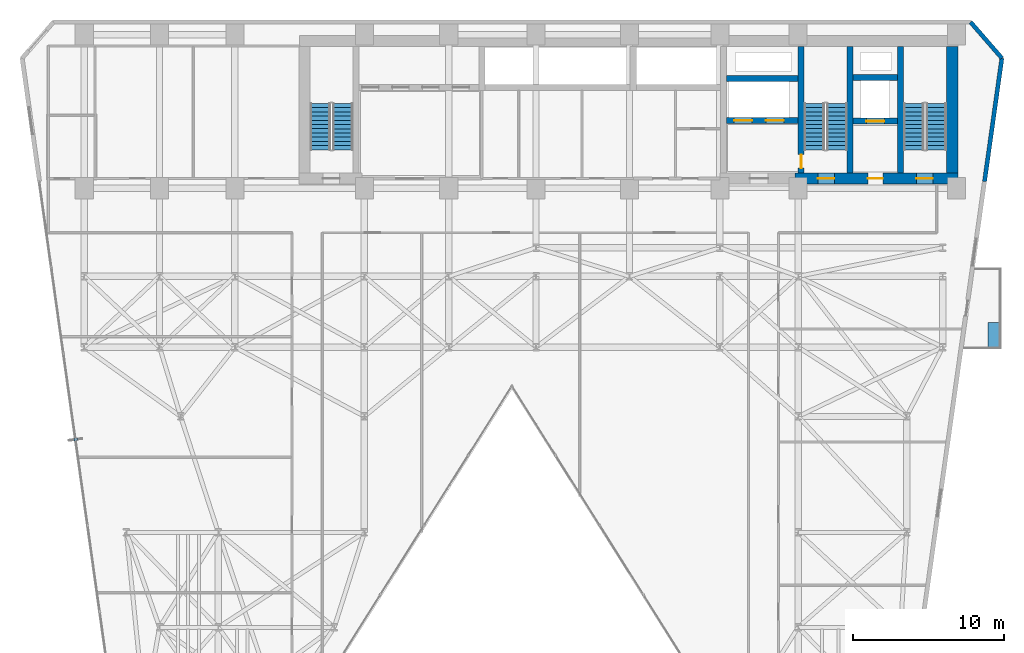
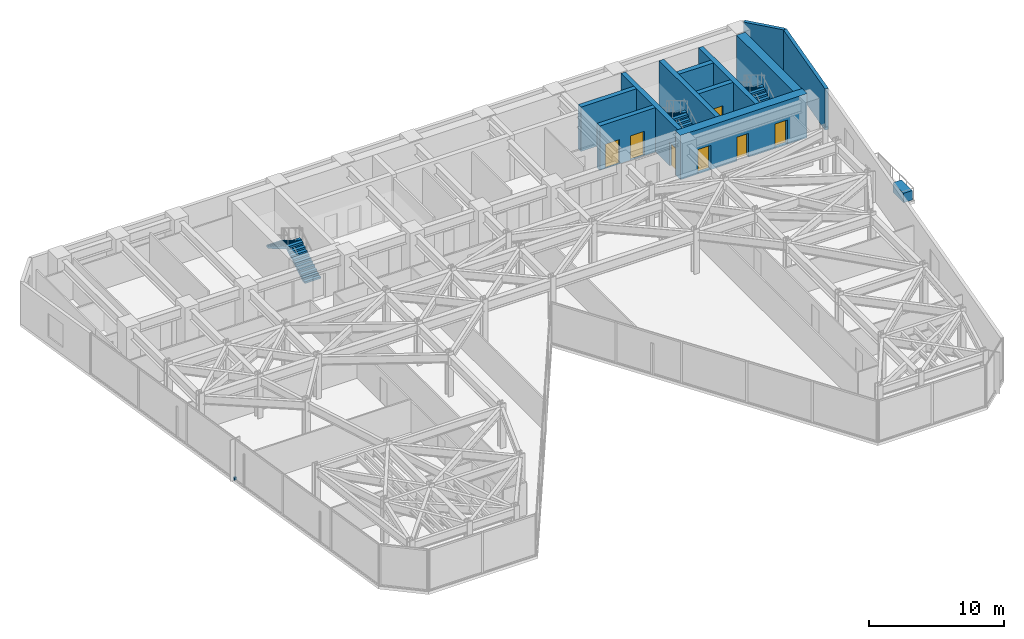
# One storey, part 21 of 25: 11 walls, 7 doors, 6 stair flights, 2 discrete accessories, 7 openings, 3 elements without a shape of their own.
"""IFC4 building model written with IfcOpenShell, lengths in metres."""

from ifc_helpers import new_model, si_unit, direction, frame, frame_2d, origin, origin_2d, place, context, subcontext, project, spatial, polyline, rectangle, outline, extrude, material, layer, layer_set, type_object, element, fill, aggregate, save


model = new_model("IFC4")

# Units and contexts
model_context = context("Model", 3, precision=1e-05, world=origin(), true_north=direction((0.0, 1.0)))
body_context = subcontext(model_context, "Body", "Model", "MODEL_VIEW")
ifc_project = project(units=[si_unit("LENGTHUNIT", "METRE"), si_unit("AREAUNIT", "SQUARE_METRE"), si_unit("VOLUMEUNIT", "CUBIC_METRE"), si_unit("PLANEANGLEUNIT", "RADIAN"), si_unit("MASSUNIT", "GRAM", prefix="KILO")], contexts=[model_context])

# Site, building, storey
site_placement = place(None, origin())
site = spatial("IfcSite", under=ifc_project, at=site_placement, CompositionType="ELEMENT")
building_placement = place(site_placement, origin())
building = spatial("IfcBuilding", under=site, at=building_placement, Name="Kravanh Interchange Tower", CompositionType="ELEMENT")
storey_placement = place(building_placement, frame((0.0, 0.0, 81.5)))
storey = spatial("IfcBuildingStorey", under=building, at=storey_placement, Name="L19", CompositionType="ELEMENT", Elevation=81.5)

# Walls
ifc_material_1 = material(Name="Concrete C80/95", Category="concrete")
ifc_layer_1 = layer(ifc_material_1, 0.39990234375)
ifc_layer_set_1 = layer_set([ifc_layer_1], Name="Core Shear Wall Concrete C80/95 400mm")
wall_type_1 = type_object("IfcWallType", Name="Core Shear Wall Concrete C80/95 400mm", PredefinedType="SHEAR", material=ifc_layer_set_1)
for number, where, z_axis, x_axis, name in (
    (1, (62.800048828125, 38.375, 0.0), (0.0, 0.0, 1.0), (0.0, 1.0, 0.0), "L19 Stair ST1 West Shear Wall"),
    (2, (59.449951171875, 38.375, 0.0), (0.0, 0.0, 1.0), (0.0, 1.0, 0.0), "L19 Stair ST2 East Shear Wall"),
):
    element("IfcWall", number, at=place(storey_placement, frame(where, z_axis=z_axis, x_axis=x_axis)), inside=storey, type_object=wall_type_1, Name=name, PredefinedType="SHEAR", context=body_context, shape_type="SweptSolid", body=[
        extrude(rectangle(XDim=8.375, YDim=0.39990234375, at=frame_2d((4.1875, 0.0))), origin(), (0.0, 0.0, 1.0), 4.0),
    ])

# Wall, opening, door
wall_1_placement = place(storey_placement, frame((56.199951171875, 38.375, 0.0), z_axis=(0.0, 0.0, 1.0), x_axis=(0.0, 1.0, 0.0)))
wall_1 = element("IfcWall", 3, at=wall_1_placement, inside=storey, type_object=wall_type_1, Name="L19 Stair ST2 West Shear Wall", PredefinedType="SHEAR", context=body_context, shape_type="SweptSolid", body=[
    extrude(rectangle(XDim=8.375, YDim=0.39990234375, at=frame_2d((4.1875, 0.0))), origin(), (0.0, 0.0, 1.0), 4.0),
])
opening_1_placement = place(wall_1_placement, frame((0.304931640625, 0.0, 0.0)))
opening_1 = element("IfcOpeningElement", 4, at=opening_1_placement, cuts=wall_1, Name="Opening D-STAIR-90", PredefinedType="OPENING", context=body_context, shape_type="SweptSolid", body=[
    extrude(rectangle(XDim=0.89990234375, YDim=2.14990234375, at=frame_2d((0.449951171875, 1.074951171875))), frame((0.0, 0.2099609375, 0.0), z_axis=(0.0, -1.0, 0.0), x_axis=(1.0, 0.0, 0.0)), (0.0, 0.0, 1.0), 0.419921875),
])
ifc_material_2 = material(Name="Structural Steel S355", Category="steel")
door_type_1 = type_object("IfcDoorType", Name="Fire-Rated Stair Lobby Door 900x2150", OperationType="NOTDEFINED", PredefinedType="DOOR", material=ifc_material_2)
door_1_placement = place(opening_1_placement, origin())
door_1 = element("IfcDoor", 5, at=door_1_placement, inside=storey, type_object=door_type_1, Name="L19 Firefighting Lobby to Stair ST2 Door", OperationType="SINGLE_SWING_LEFT", OverallHeight=2.14990234375, OverallWidth=0.89990234375, PredefinedType="DOOR", context=body_context, shape_type="SweptSolid", body=[
    extrude(rectangle(XDim=0.89990234375, YDim=2.14990234375, at=frame_2d((0.449951171875, 1.074951171875))), frame((0.0, 0.02490234375, 0.0), z_axis=(0.0, -1.0, 0.0), x_axis=(1.0, 0.0, 0.0)), (0.0, 0.0, 1.0), 0.050048828125),
])
fill(opening_1, door_1)

wall_2_placement = place(storey_placement, frame((59.64990234375, 41.800048828125, 0.0), z_axis=(0.0, 0.0, 1.0), x_axis=(1.0, 0.0, 0.0)))
wall_2 = element("IfcWall", 6, at=wall_2_placement, inside=storey, type_object=wall_type_1, Name="L19 Service Lift Shaft South Wall", PredefinedType="SHEAR", context=body_context, shape_type="SweptSolid", body=[
    extrude(rectangle(XDim=2.9501953125, YDim=0.39990234375, at=frame_2d((1.47509765625, 0.0))), origin(), (0.0, 0.0, 1.0), 4.0),
])
opening_2_placement = place(wall_2_placement, frame((0.8701171875, 0.0, 0.0)))
opening_2 = element("IfcOpeningElement", 7, at=opening_2_placement, cuts=wall_2, Name="Opening LD02", PredefinedType="OPENING", context=body_context, shape_type="SweptSolid", body=[
    extrude(rectangle(XDim=1.199951171875, YDim=2.199951171875, at=frame_2d((0.60009765625, 1.10009765625))), frame((0.0, 0.2099609375, 0.0), z_axis=(0.0, -1.0, 0.0), x_axis=(1.0, 0.0, 0.0)), (0.0, 0.0, 1.0), 0.419921875),
])
ifc_material_3 = material(Name="Stainless Steel 316", Category="steel")
door_type_2 = type_object("IfcDoorType", Name="Fire and Service Lift Sliding Landing Door 1200x2200", OperationType="DOUBLE_DOOR_SLIDING", PredefinedType="DOOR", material=ifc_material_3)
door_2_placement = place(opening_2_placement, origin())
door_2 = element("IfcDoor", 8, at=door_2_placement, inside=storey, type_object=door_type_2, Name="L19 Lift LS-01 Landing Door", OperationType="DOUBLE_DOOR_SLIDING", OverallHeight=2.199951171875, OverallWidth=1.199951171875, PredefinedType="DOOR", context=body_context, shape_type="SweptSolid", body=[
    extrude(rectangle(XDim=1.199951171875, YDim=2.199951171875, at=frame_2d((0.60009765625, 1.10009765625))), frame((0.0, 0.02490234375, 0.0), z_axis=(0.0, -1.0, 0.0), x_axis=(1.0, 0.0, 0.0)), (0.0, 0.0, 1.0), 0.050048828125),
])
fill(opening_2, door_2)

# Wall
wall_3_placement = place(storey_placement, frame((59.64990234375, 44.699951171875, 0.0), z_axis=(0.0, 0.0, 1.0), x_axis=(1.0, 0.0, 0.0)))
element("IfcWall", 9, at=wall_3_placement, inside=storey, type_object=wall_type_1, Name="L19 Service Lift Shaft North Wall", PredefinedType="SHEAR", context=body_context, shape_type="SweptSolid", body=[
    extrude(rectangle(XDim=2.9501953125, YDim=0.39990234375, at=frame_2d((1.47509765625, 0.0))), origin(), (0.0, 0.0, 1.0), 4.0),
])

# Wall, openings, doors
wall_4_placement = place(storey_placement, frame((51.25, 41.85009765625, 0.0), z_axis=(0.0, 0.0, 1.0), x_axis=(1.0, 0.0, 0.0)))
wall_4 = element("IfcWall", 10, at=wall_4_placement, inside=storey, type_object=wall_type_1, Name="L19 Fire Lift Shaft South Wall", PredefinedType="SHEAR", context=body_context, shape_type="SweptSolid", body=[
    extrude(rectangle(XDim=4.75, YDim=0.39990234375, at=frame_2d((2.375, 0.0))), origin(), (0.0, 0.0, 1.0), 4.0),
])
opening_3_placement = place(wall_4_placement, frame((0.5, 0.0, 0.0)))
opening_3 = element("IfcOpeningElement", 11, at=opening_3_placement, cuts=wall_4, Name="Opening LD02", PredefinedType="OPENING", context=body_context, shape_type="SweptSolid", body=[
    extrude(rectangle(XDim=1.199951171875, YDim=2.199951171875, at=frame_2d((0.60009765625, 1.10009765625))), frame((0.0, 0.2099609375, 0.0), z_axis=(0.0, -1.0, 0.0), x_axis=(1.0, 0.0, 0.0)), (0.0, 0.0, 1.0), 0.419921875),
])
opening_4_placement = place(wall_4_placement, frame((2.60009765625, 0.0, 0.0)))
opening_4 = element("IfcOpeningElement", 12, at=opening_4_placement, cuts=wall_4, Name="Opening LD02", PredefinedType="OPENING", context=body_context, shape_type="SweptSolid", body=[
    extrude(rectangle(XDim=1.199951171875, YDim=2.199951171875, at=frame_2d((0.60009765625, 1.10009765625))), frame((0.0, 0.2099609375, 0.0), z_axis=(0.0, -1.0, 0.0), x_axis=(1.0, 0.0, 0.0)), (0.0, 0.0, 1.0), 0.419921875),
])
door_3_placement = place(opening_3_placement, origin())
door_3 = element("IfcDoor", 13, at=door_3_placement, inside=storey, type_object=door_type_2, Name="L19 Lift FSAE-01 Landing Door", OperationType="DOUBLE_DOOR_SLIDING", OverallHeight=2.199951171875, OverallWidth=1.199951171875, PredefinedType="DOOR", context=body_context, shape_type="SweptSolid", body=[
    extrude(rectangle(XDim=1.199951171875, YDim=2.199951171875, at=frame_2d((0.60009765625, 1.10009765625))), frame((0.0, 0.02490234375, 0.0), z_axis=(0.0, -1.0, 0.0), x_axis=(1.0, 0.0, 0.0)), (0.0, 0.0, 1.0), 0.050048828125),
])
fill(opening_3, door_3)
door_4_placement = place(opening_4_placement, origin())
door_4 = element("IfcDoor", 14, at=door_4_placement, inside=storey, type_object=door_type_2, Name="L19 Lift FSAE-02 Landing Door", OperationType="DOUBLE_DOOR_SLIDING", OverallHeight=2.199951171875, OverallWidth=1.199951171875, PredefinedType="DOOR", context=body_context, shape_type="SweptSolid", body=[
    extrude(rectangle(XDim=1.199951171875, YDim=2.199951171875, at=frame_2d((0.60009765625, 1.10009765625))), frame((0.0, 0.02490234375, 0.0), z_axis=(0.0, -1.0, 0.0), x_axis=(1.0, 0.0, 0.0)), (0.0, 0.0, 1.0), 0.050048828125),
])
fill(opening_4, door_4)

# Wall
wall_5_placement = place(storey_placement, frame((51.25, 44.64990234375, 0.0), z_axis=(0.0, 0.0, 1.0), x_axis=(1.0, 0.0, 0.0)))
element("IfcWall", 15, at=wall_5_placement, inside=storey, type_object=wall_type_1, Name="L19 Fire Lift Shaft North Wall", PredefinedType="SHEAR", context=body_context, shape_type="SweptSolid", body=[
    extrude(rectangle(XDim=4.75, YDim=0.39990234375, at=frame_2d((2.375, 0.0))), origin(), (0.0, 0.0, 1.0), 4.0),
])

# Wall, openings, doors
ifc_material_4 = material(Name="Concrete C80/95", Category="concrete")
ifc_layer_2 = layer(ifc_material_4, 0.75)
ifc_layer_set_2 = layer_set([ifc_layer_2], Name="Core Shear Wall Concrete C80/95 750mm")
wall_type_2 = type_object("IfcWallType", Name="Core Shear Wall Concrete C80/95 750mm", PredefinedType="SHEAR", material=ifc_layer_set_2)
wall_6_placement = place(storey_placement, frame((55.800048828125, 38.0, 0.0), z_axis=(0.0, 0.0, 1.0), x_axis=(1.0, 0.0, 0.0)))
wall_6 = element("IfcWall", 16, at=wall_6_placement, inside=storey, type_object=wall_type_2, Name="L19 East Core South Shear Wall", PredefinedType="SHEAR", context=body_context, shape_type="SweptSolid", body=[
    extrude(rectangle(XDim=10.800048828125, YDim=0.75, at=frame_2d((5.39990234375, 0.0))), origin(), (0.0, 0.0, 1.0), 4.0),
])
opening_5_placement = place(wall_6_placement, frame((1.5, 0.0, 0.0)))
opening_5 = element("IfcOpeningElement", 17, at=opening_5_placement, cuts=wall_6, Name="Opening D-STAIR-110", PredefinedType="OPENING", context=body_context, shape_type="SweptSolid", body=[
    extrude(rectangle(XDim=1.10009765625, YDim=2.199951171875, at=frame_2d((0.550048828125, 1.10009765625))), frame((0.0, 0.385009765625, 0.0), z_axis=(0.0, -1.0, 0.0), x_axis=(1.0, 0.0, 0.0)), (0.0, 0.0, 1.0), 0.77001953125),
])
opening_6_placement = place(wall_6_placement, frame((4.820068359375, 0.0, 0.0)))
opening_6 = element("IfcOpeningElement", 18, at=opening_6_placement, cuts=wall_6, Name="Opening D-HOTEL-100", PredefinedType="OPENING", context=body_context, shape_type="SweptSolid", body=[
    extrude(rectangle(XDim=1.0, YDim=2.14990234375, at=frame_2d((0.5, 1.074951171875))), frame((0.0, 0.385009765625, 0.0), z_axis=(0.0, -1.0, 0.0), x_axis=(1.0, 0.0, 0.0)), (0.0, 0.0, 1.0), 0.77001953125),
])
opening_7_placement = place(wall_6_placement, frame((8.050048828125, 0.0, 0.0)))
opening_7 = element("IfcOpeningElement", 19, at=opening_7_placement, cuts=wall_6, Name="Opening D-STAIR-110", PredefinedType="OPENING", context=body_context, shape_type="SweptSolid", body=[
    extrude(rectangle(XDim=1.10009765625, YDim=2.199951171875, at=frame_2d((0.550048828125, 1.10009765625))), frame((0.0, 0.385009765625, 0.0), z_axis=(0.0, -1.0, 0.0), x_axis=(1.0, 0.0, 0.0)), (0.0, 0.0, 1.0), 0.77001953125),
])
ifc_material_5 = material(Name="Structural Steel S355", Category="steel")
door_type_3 = type_object("IfcDoorType", Name="Fire-Rated Exit Stair Door 1100x2200", OperationType="NOTDEFINED", PredefinedType="DOOR", material=ifc_material_5)
door_5_placement = place(opening_5_placement, origin())
door_5 = element("IfcDoor", 20, at=door_5_placement, inside=storey, type_object=door_type_3, Name="L19 Exit Stair ST2 Door", OperationType="SINGLE_SWING_RIGHT", OverallHeight=2.199951171875, OverallWidth=1.10009765625, PredefinedType="DOOR", context=body_context, shape_type="SweptSolid", body=[
    extrude(rectangle(XDim=1.10009765625, YDim=2.199951171875, at=frame_2d((0.550048828125, 1.10009765625))), frame((0.0, 0.02490234375, 0.0), z_axis=(0.0, -1.0, 0.0), x_axis=(1.0, 0.0, 0.0)), (0.0, 0.0, 1.0), 0.050048828125),
])
fill(opening_5, door_5)
door_6_placement = place(opening_7_placement, origin())
door_6 = element("IfcDoor", 21, at=door_6_placement, inside=storey, type_object=door_type_3, Name="L19 Exit Stair ST1 Door", OperationType="SINGLE_SWING_RIGHT", OverallHeight=2.199951171875, OverallWidth=1.10009765625, PredefinedType="DOOR", context=body_context, shape_type="SweptSolid", body=[
    extrude(rectangle(XDim=1.10009765625, YDim=2.199951171875, at=frame_2d((0.550048828125, 1.10009765625))), frame((0.0, 0.02490234375, 0.0), z_axis=(0.0, -1.0, 0.0), x_axis=(1.0, 0.0, 0.0)), (0.0, 0.0, 1.0), 0.050048828125),
])
fill(opening_7, door_6)
ifc_material_6 = material(Name="Fire-Rated Solid Timber Leaf", Category="wood")
door_type_4 = type_object("IfcDoorType", Name="Fire-Rated Suite Entrance Door 1000x2150", OperationType="NOTDEFINED", PredefinedType="DOOR", material=ifc_material_6)
door_7_placement = place(opening_6_placement, origin())
door_7 = element("IfcDoor", 22, at=door_7_placement, inside=storey, type_object=door_type_4, Name="L19 Service Lift Lobby Door", OperationType="SINGLE_SWING_RIGHT", OverallHeight=2.14990234375, OverallWidth=1.0, PredefinedType="DOOR", context=body_context, shape_type="SweptSolid", body=[
    extrude(rectangle(XDim=1.0, YDim=2.14990234375, at=frame_2d((0.5, 1.074951171875))), frame((0.0, 0.02490234375, 0.0), z_axis=(0.0, -1.0, 0.0), x_axis=(1.0, 0.0, 0.0)), (0.0, 0.0, 1.0), 0.050048828125),
])
fill(opening_6, door_7)

# Walls
wall_7_placement = place(storey_placement, frame((66.22509765625, 38.375, 0.0), z_axis=(0.0, 0.0, 1.0), x_axis=(0.0, 1.0, 0.0)))
element("IfcWall", 23, at=wall_7_placement, inside=storey, type_object=wall_type_2, Name="L19 Stair ST1 East Shear Wall", PredefinedType="SHEAR", context=body_context, shape_type="SweptSolid", body=[
    extrude(rectangle(XDim=8.375, YDim=0.75, at=frame_2d((4.1875, 0.0))), origin(), (0.0, 0.0, 1.0), 4.0),
])
ifc_material_7 = material(Name="Insulated Precast Concrete C40/50 with Bronze Cladding", Category="concrete")
ifc_layer_3 = layer(ifc_material_7, 0.280029296875)
ifc_layer_set_3 = layer_set([ifc_layer_3], Name="Exterior Insulated Concrete C40/50 Bronze Spandrel Wall 280mm")
wall_type_3 = type_object("IfcWallType", Name="Exterior Insulated Concrete C40/50 Bronze Spandrel Wall 280mm", PredefinedType="STANDARD", material=ifc_layer_set_3)
wall_8_placement = place(storey_placement, frame((67.4453125, 48.3798828125, 0.0), z_axis=(0.0, 0.0, 1.0), x_axis=(0.656070053895, -0.754699996278, 0.0)))
element("IfcWall", 24, at=wall_8_placement, inside=storey, type_object=wall_type_3, Name="L19 Exterior Wall 4", PredefinedType="STANDARD", context=body_context, shape_type="SweptSolid", body=[
    extrude(rectangle(XDim=3.1708984375, YDim=0.280029296875, at=frame_2d((1.58544921875, 0.0))), origin(), (0.0, 0.0, 1.0), 3.719970703125),
])
wall_9_placement = place(storey_placement, frame((69.525634765625, 45.98681640625, 0.0), z_axis=(0.0, 0.0, 1.0), x_axis=(-0.139180172484, -0.990267074878, 0.0)))
element("IfcWall", 25, at=wall_9_placement, inside=storey, type_object=wall_type_3, Name="L19 Exterior Wall 5", PredefinedType="STANDARD", context=body_context, shape_type="SweptSolid", body=[
    extrude(rectangle(XDim=8.267333984375, YDim=0.280029296875, at=frame_2d((4.1337890625, 0.0))), origin(), (0.0, 0.0, 1.0), 3.719970703125),
])

# Stair, stair flights
ifc_material_8 = material(Name="Concrete C50/60", Category="concrete")
stair_type = type_object("IfcStairType", Name="Core Fire Exit Dogleg Stair Concrete C50/60", PredefinedType="HALF_TURN_STAIR", material=ifc_material_8)
stair_1_placement = place(storey_placement, origin())
stair_1 = element("IfcStair", 26, at=stair_1_placement, inside=storey, type_object=stair_type, Name="L19 Exit Stair ST1", PredefinedType="HALF_TURN_STAIR")
ifc_material_9 = material(Name="Precast Concrete C50/60", Category="concrete")
ifc_layer_4 = layer(ifc_material_9, 0.199951171875)
ifc_layer_set_4 = layer_set([ifc_layer_4], Name="Precast Concrete C50/60 Stair Flight 1350mm")
stair_flight_type = type_object("IfcStairFlightType", Name="Precast Concrete C50/60 Stair Flight 1350mm", PredefinedType="STRAIGHT", material=ifc_layer_set_4)
stair_flight_1_placement = place(storey_placement, frame((65.175048828125, 39.89990234375, 0.0), z_axis=(0.0, 0.0, 1.0), x_axis=(0.0, 1.0, 0.0)))
stair_flight_1 = element("IfcStairFlight", 27, at=stair_flight_1_placement, type_object=stair_flight_type, Name="ST1 flight 1", NumberOfRisers=12, NumberOfTreads=11, PredefinedType="STRAIGHT", RiserHeight=0.166666667, TreadLength=0.28, context=body_context, shape_type="SweptSolid", body=[
    extrude(outline(polyline([(0.0, 0.0), (0.0, 0.166748046875), (0.280029296875, 0.166748046875), (0.280029296875, 0.333251953125), (0.56005859375, 0.333251953125), (0.56005859375, 0.5), (0.840087890625, 0.5), (0.840087890625, 0.666748046875), (1.1201171875, 0.666748046875), (1.1201171875, 0.833251953125), (1.39990234375, 0.833251953125), (1.39990234375, 1.0), (1.679931640625, 1.0), (1.679931640625, 1.166748046875), (1.9599609375, 1.166748046875), (1.9599609375, 1.333251953125), (2.239990234375, 1.333251953125), (2.239990234375, 1.5), (2.52001953125, 1.5), (2.52001953125, 1.666748046875), (2.800048828125, 1.666748046875), (2.800048828125, 1.833251953125), (3.080078125, 1.833251953125), (3.080078125, 2.0), (3.080078125, 1.658935546875), (0.29296875, 0.0), (0.0, 0.0)])), frame((0.0, 0.675048828125, 0.0), z_axis=(0.0, -1.0, 0.0), x_axis=(1.0, 0.0, 0.0)), (0.0, 0.0, 1.0), 1.35009765625),
])
stair_flight_2_placement = place(storey_placement, frame((63.675048828125, 42.97998046875, 2.0), z_axis=(0.0, 0.0, 1.0), x_axis=(0.0, -1.0, 0.0)))
stair_flight_2 = element("IfcStairFlight", 28, at=stair_flight_2_placement, type_object=stair_flight_type, Name="ST1 flight 2", NumberOfRisers=12, NumberOfTreads=11, PredefinedType="STRAIGHT", RiserHeight=0.166666667, TreadLength=0.28, context=body_context, shape_type="SweptSolid", body=[
    extrude(outline(polyline([(0.0, 0.0), (0.0, 0.166748046875), (0.280029296875, 0.166748046875), (0.280029296875, 0.333251953125), (0.56005859375, 0.333251953125), (0.56005859375, 0.5), (0.840087890625, 0.5), (0.840087890625, 0.666748046875), (1.1201171875, 0.666748046875), (1.1201171875, 0.833251953125), (1.39990234375, 0.833251953125), (1.39990234375, 1.0), (1.679931640625, 1.0), (1.679931640625, 1.166748046875), (1.9599609375, 1.166748046875), (1.9599609375, 1.333251953125), (2.239990234375, 1.333251953125), (2.239990234375, 1.5), (2.52001953125, 1.5), (2.52001953125, 1.666748046875), (2.800048828125, 1.666748046875), (2.800048828125, 1.833251953125), (3.080078125, 1.833251953125), (3.080078125, 2.0), (3.080078125, 1.658935546875), (0.29296875, 0.0), (0.0, 0.0)])), frame((0.0, 0.675048828125, 0.0), z_axis=(0.0, -1.0, 0.0), x_axis=(1.0, 0.0, 0.0)), (0.0, 0.0, 1.0), 1.35009765625),
])
aggregate(stair_1, [stair_flight_1, stair_flight_2])

stair_2_placement = place(storey_placement, origin())
stair_2 = element("IfcStair", 29, at=stair_2_placement, inside=storey, type_object=stair_type, Name="L19 Exit Stair ST2", PredefinedType="HALF_TURN_STAIR")
stair_flight_3_placement = place(storey_placement, frame((58.574951171875, 39.89990234375, 0.0), z_axis=(0.0, 0.0, 1.0), x_axis=(0.0, 1.0, 0.0)))
stair_flight_3 = element("IfcStairFlight", 30, at=stair_flight_3_placement, type_object=stair_flight_type, Name="ST2 flight 1", NumberOfRisers=12, NumberOfTreads=11, PredefinedType="STRAIGHT", RiserHeight=0.166666667, TreadLength=0.28, context=body_context, shape_type="SweptSolid", body=[
    extrude(outline(polyline([(0.0, 0.0), (0.0, 0.166748046875), (0.280029296875, 0.166748046875), (0.280029296875, 0.333251953125), (0.56005859375, 0.333251953125), (0.56005859375, 0.5), (0.840087890625, 0.5), (0.840087890625, 0.666748046875), (1.1201171875, 0.666748046875), (1.1201171875, 0.833251953125), (1.39990234375, 0.833251953125), (1.39990234375, 1.0), (1.679931640625, 1.0), (1.679931640625, 1.166748046875), (1.9599609375, 1.166748046875), (1.9599609375, 1.333251953125), (2.239990234375, 1.333251953125), (2.239990234375, 1.5), (2.52001953125, 1.5), (2.52001953125, 1.666748046875), (2.800048828125, 1.666748046875), (2.800048828125, 1.833251953125), (3.080078125, 1.833251953125), (3.080078125, 2.0), (3.080078125, 1.658935546875), (0.29296875, 0.0), (0.0, 0.0)])), frame((0.0, 0.675048828125, 0.0), z_axis=(0.0, -1.0, 0.0), x_axis=(1.0, 0.0, 0.0)), (0.0, 0.0, 1.0), 1.35009765625),
])
stair_flight_4_placement = place(storey_placement, frame((57.074951171875, 42.97998046875, 2.0), z_axis=(0.0, 0.0, 1.0), x_axis=(0.0, -1.0, 0.0)))
stair_flight_4 = element("IfcStairFlight", 31, at=stair_flight_4_placement, type_object=stair_flight_type, Name="ST2 flight 2", NumberOfRisers=12, NumberOfTreads=11, PredefinedType="STRAIGHT", RiserHeight=0.166666667, TreadLength=0.28, context=body_context, shape_type="SweptSolid", body=[
    extrude(outline(polyline([(0.0, 0.0), (0.0, 0.166748046875), (0.280029296875, 0.166748046875), (0.280029296875, 0.333251953125), (0.56005859375, 0.333251953125), (0.56005859375, 0.5), (0.840087890625, 0.5), (0.840087890625, 0.666748046875), (1.1201171875, 0.666748046875), (1.1201171875, 0.833251953125), (1.39990234375, 0.833251953125), (1.39990234375, 1.0), (1.679931640625, 1.0), (1.679931640625, 1.166748046875), (1.9599609375, 1.166748046875), (1.9599609375, 1.333251953125), (2.239990234375, 1.333251953125), (2.239990234375, 1.5), (2.52001953125, 1.5), (2.52001953125, 1.666748046875), (2.800048828125, 1.666748046875), (2.800048828125, 1.833251953125), (3.080078125, 1.833251953125), (3.080078125, 2.0), (3.080078125, 1.658935546875), (0.29296875, 0.0), (0.0, 0.0)])), frame((0.0, 0.675048828125, 0.0), z_axis=(0.0, -1.0, 0.0), x_axis=(1.0, 0.0, 0.0)), (0.0, 0.0, 1.0), 1.35009765625),
])
aggregate(stair_2, [stair_flight_3, stair_flight_4])

stair_3_placement = place(storey_placement, origin())
stair_3 = element("IfcStair", 32, at=stair_3_placement, inside=storey, type_object=stair_type, Name="L19 Exit Stair ST3", PredefinedType="HALF_TURN_STAIR")
stair_flight_5_placement = place(storey_placement, frame((25.77490234375, 39.89990234375, 0.0), z_axis=(0.0, 0.0, 1.0), x_axis=(0.0, 1.0, 0.0)))
stair_flight_5 = element("IfcStairFlight", 33, at=stair_flight_5_placement, type_object=stair_flight_type, Name="ST3 flight 1", NumberOfRisers=12, NumberOfTreads=11, PredefinedType="STRAIGHT", RiserHeight=0.166666667, TreadLength=0.28, context=body_context, shape_type="SweptSolid", body=[
    extrude(outline(polyline([(0.0, 0.0), (0.0, 0.166748046875), (0.280029296875, 0.166748046875), (0.280029296875, 0.333251953125), (0.56005859375, 0.333251953125), (0.56005859375, 0.5), (0.840087890625, 0.5), (0.840087890625, 0.666748046875), (1.1201171875, 0.666748046875), (1.1201171875, 0.833251953125), (1.39990234375, 0.833251953125), (1.39990234375, 1.0), (1.679931640625, 1.0), (1.679931640625, 1.166748046875), (1.9599609375, 1.166748046875), (1.9599609375, 1.333251953125), (2.239990234375, 1.333251953125), (2.239990234375, 1.5), (2.52001953125, 1.5), (2.52001953125, 1.666748046875), (2.800048828125, 1.666748046875), (2.800048828125, 1.833251953125), (3.080078125, 1.833251953125), (3.080078125, 2.0), (3.080078125, 1.658935546875), (0.29296875, 0.0), (0.0, 0.0)])), frame((0.0, 0.675048828125, 0.0), z_axis=(0.0, -1.0, 0.0), x_axis=(1.0, 0.0, 0.0)), (0.0, 0.0, 1.0), 1.35009765625),
])
stair_flight_6_placement = place(storey_placement, frame((24.27490234375, 42.97998046875, 2.0), z_axis=(0.0, 0.0, 1.0), x_axis=(0.0, -1.0, 0.0)))
stair_flight_6 = element("IfcStairFlight", 34, at=stair_flight_6_placement, type_object=stair_flight_type, Name="ST3 flight 2", NumberOfRisers=12, NumberOfTreads=11, PredefinedType="STRAIGHT", RiserHeight=0.166666667, TreadLength=0.28, context=body_context, shape_type="SweptSolid", body=[
    extrude(outline(polyline([(0.0, 0.0), (0.0, 0.166748046875), (0.280029296875, 0.166748046875), (0.280029296875, 0.333251953125), (0.56005859375, 0.333251953125), (0.56005859375, 0.5), (0.840087890625, 0.5), (0.840087890625, 0.666748046875), (1.1201171875, 0.666748046875), (1.1201171875, 0.833251953125), (1.39990234375, 0.833251953125), (1.39990234375, 1.0), (1.679931640625, 1.0), (1.679931640625, 1.166748046875), (1.9599609375, 1.166748046875), (1.9599609375, 1.333251953125), (2.239990234375, 1.333251953125), (2.239990234375, 1.5), (2.52001953125, 1.5), (2.52001953125, 1.666748046875), (2.800048828125, 1.666748046875), (2.800048828125, 1.833251953125), (3.080078125, 1.833251953125), (3.080078125, 2.0), (3.080078125, 1.658935546875), (0.29296875, 0.0), (0.0, 0.0)])), frame((0.0, 0.675048828125, 0.0), z_axis=(0.0, -1.0, 0.0), x_axis=(1.0, 0.0, 0.0)), (0.0, 0.0, 1.0), 1.35009765625),
])
aggregate(stair_3, [stair_flight_5, stair_flight_6])

# Discrete accessories
ifc_material_10 = material(Name="Stainless Steel 316", Category="steel")
discrete_accessory_type_1 = type_object("IfcDiscreteAccessoryType", Name="Solar Fin Curtain-Wall Mounting Bracket Stainless 316", PredefinedType="BRACKET", material=ifc_material_10)
discrete_accessory_1_placement = place(storey_placement, frame((8.03271484375, 20.66845703125, 0.0), z_axis=(0.0, 0.0, 1.0), x_axis=(-0.990267798532, -0.139175023587, 0.0)))
element("IfcDiscreteAccessory", 35, at=discrete_accessory_1_placement, inside=storey, type_object=discrete_accessory_type_1, Name="L19 Solar Fin Mounting Bracket 1", PredefinedType="BRACKET", context=body_context, shape_type="SweptSolid", body=[
    extrude(rectangle(XDim=0.239990234375, YDim=0.179931640625, at=origin_2d()), origin(), (0.0, 0.0, 1.0), 0.219970703125),
])
ifc_material_11 = material(Name="Architectural GRC Concrete C40/50 with Root Barrier", Category="concrete")
discrete_accessory_type_2 = type_object("IfcDiscreteAccessoryType", Name="Structural Balcony Tree Planter Box Concrete C40/50 1600x750x850", PredefinedType="USERDEFINED", material=ifc_material_11)
discrete_accessory_2_placement = place(storey_placement, frame((68.969970703125, 27.6201171875, 0.0), z_axis=(0.0, 0.0, 1.0), x_axis=(1.0, 0.0, 0.0)))
element("IfcDiscreteAccessory", 36, at=discrete_accessory_2_placement, inside=storey, type_object=discrete_accessory_type_2, Name="L19 E Balcony TREE PLANTER", ObjectType="PLANTER", PredefinedType="USERDEFINED", context=body_context, shape_type="SweptSolid", body=[
    extrude(rectangle(XDim=0.75, YDim=1.60009765625, at=origin_2d()), origin(), (0.0, 0.0, 1.0), 0.85009765625),
])

save(model, "model.ifc")
